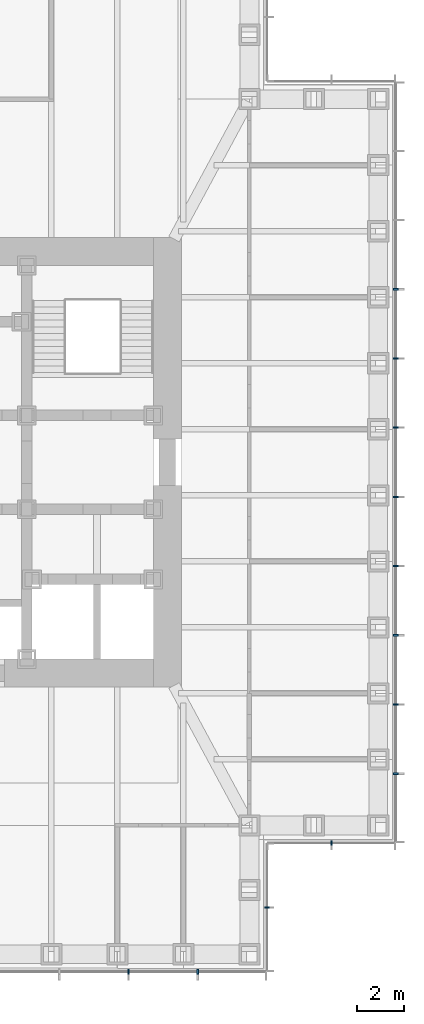
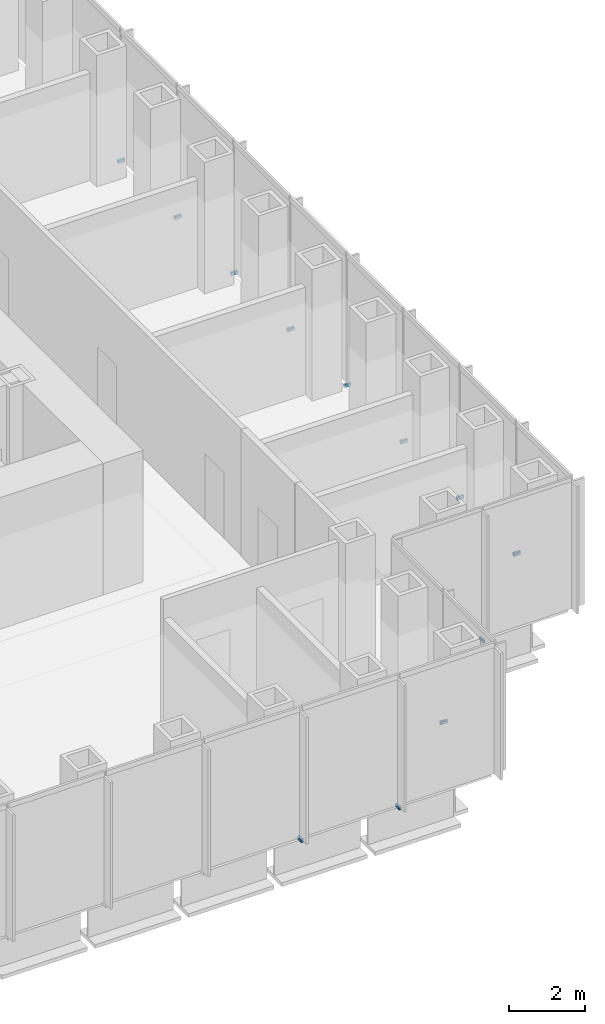
# One storey, part 14 of 17: 12 discrete accessories.
"""IFC4 building model written with IfcOpenShell, lengths in metres."""

from ifc_helpers import new_model, si_unit, direction, frame, origin, origin_2d, place, context, subcontext, project, spatial, rectangle, extrude, element, save


model = new_model("IFC4")

# Units and contexts
model_context = context("Model", 3, precision=1e-05, world=origin(), true_north=direction((0.0, 1.0)))
body_context = subcontext(model_context, "Body", "Model", "MODEL_VIEW")
ifc_project = project(units=[si_unit("LENGTHUNIT", "METRE"), si_unit("AREAUNIT", "SQUARE_METRE"), si_unit("VOLUMEUNIT", "CUBIC_METRE"), si_unit("PLANEANGLEUNIT", "RADIAN"), si_unit("MASSUNIT", "GRAM", prefix="KILO")], contexts=[model_context])

# Site, building, storey
site_placement = place(None, origin())
site = spatial("IfcSite", under=ifc_project, at=site_placement, CompositionType="ELEMENT")
building_placement = place(site_placement, origin())
building = spatial("IfcBuilding", under=site, at=building_placement, Name="Daluyong Arena Tower", CompositionType="ELEMENT")
storey_placement = place(building_placement, frame((0.0, 0.0, 193.89990234375)))
storey = spatial("IfcBuildingStorey", under=building, at=storey_placement, Name="L43", CompositionType="ELEMENT", Elevation=193.89990234375)

# Discrete accessories
for number, where, z_axis, x_axis, name in (
    (1, (66.3408203125, 58.25, -0.099853515625), (0.0, 0.0, 1.0), (1.0, 0.0, 0.0), "curtain wall L43 S anchor bracket 10"),
    (2, (69.29541015625, 58.25, -0.099853515625), (0.0, 0.0, 1.0), (1.0, 0.0, 0.0), "curtain wall L43 S anchor bracket 11"),
):
    element("IfcDiscreteAccessory", number, at=place(storey_placement, frame(where, z_axis=z_axis, x_axis=x_axis)), inside=storey, Name=name, PredefinedType="BRACKET", context=body_context, shape_type="SweptSolid", body=[
        extrude(rectangle(XDim=0.070068359375, YDim=0.199951171875, at=origin_2d()), origin(), (0.0, 0.0, 1.0), 0.10009765625),
    ])
for number, where, z_axis, x_axis, name in (
    (3, (72.25, 61.0, -0.099853515625), (0.0, 0.0, 1.0), (0.0, 1.0, 0.0), "curtain wall L43 SE-E anchor bracket 2"),
    (4, (75.0, 63.75, -0.099853515625), (0.0, 0.0, 1.0), (1.0, 0.0, 0.0), "curtain wall L43 SE-S anchor bracket 2"),
):
    element("IfcDiscreteAccessory", number, at=place(storey_placement, frame(where, z_axis=z_axis, x_axis=x_axis)), inside=storey, Name=name, PredefinedType="BRACKET", context=body_context, shape_type="SweptSolid", body=[
        extrude(rectangle(XDim=0.06005859375, YDim=0.199951171875, at=origin_2d()), origin(), (0.0, 0.0, 1.0), 0.10009765625),
    ])
for number, where, z_axis, x_axis, name in (
    (5, (77.75, 66.70458984375, -0.099853515625), (0.0, 0.0, 1.0), (0.0, 1.0, 0.0), "curtain wall L43 E anchor bracket 2"),
    (6, (77.75, 69.6591796875, -0.099853515625), (0.0, 0.0, 1.0), (0.0, 1.0, 0.0), "curtain wall L43 E anchor bracket 3"),
    (7, (77.75, 72.613525390625, -0.099853515625), (0.0, 0.0, 1.0), (0.0, 1.0, 0.0), "curtain wall L43 E anchor bracket 4"),
    (8, (77.75, 75.568115234375, -0.099853515625), (0.0, 0.0, 1.0), (0.0, 1.0, 0.0), "curtain wall L43 E anchor bracket 5"),
    (9, (77.75, 78.522705078125, -0.099853515625), (0.0, 0.0, 1.0), (0.0, 1.0, 0.0), "curtain wall L43 E anchor bracket 6"),
    (10, (77.75, 81.477294921875, -0.099853515625), (0.0, 0.0, 1.0), (0.0, 1.0, 0.0), "curtain wall L43 E anchor bracket 7"),
    (11, (77.75, 84.431884765625, -0.099853515625), (0.0, 0.0, 1.0), (0.0, 1.0, 0.0), "curtain wall L43 E anchor bracket 8"),
    (12, (77.75, 87.386474609375, -0.099853515625), (0.0, 0.0, 1.0), (0.0, 1.0, 0.0), "curtain wall L43 E anchor bracket 9"),
):
    element("IfcDiscreteAccessory", number, at=place(storey_placement, frame(where, z_axis=z_axis, x_axis=x_axis)), inside=storey, Name=name, PredefinedType="BRACKET", context=body_context, shape_type="SweptSolid", body=[
        extrude(rectangle(XDim=0.070068359375, YDim=0.199951171875, at=origin_2d()), origin(), (0.0, 0.0, 1.0), 0.10009765625),
    ])

save(model, "model.ifc")
